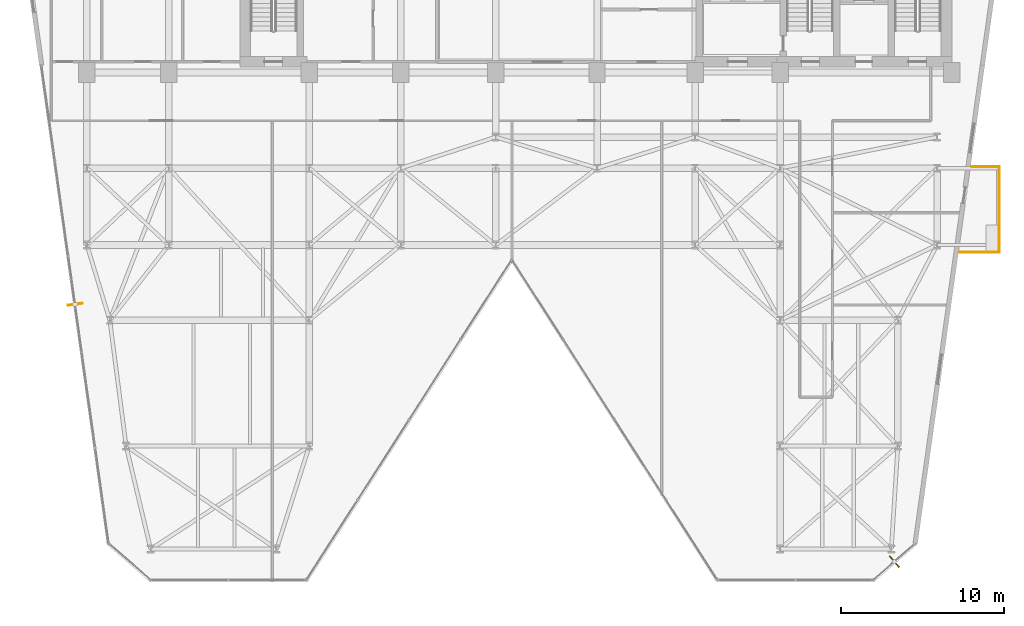
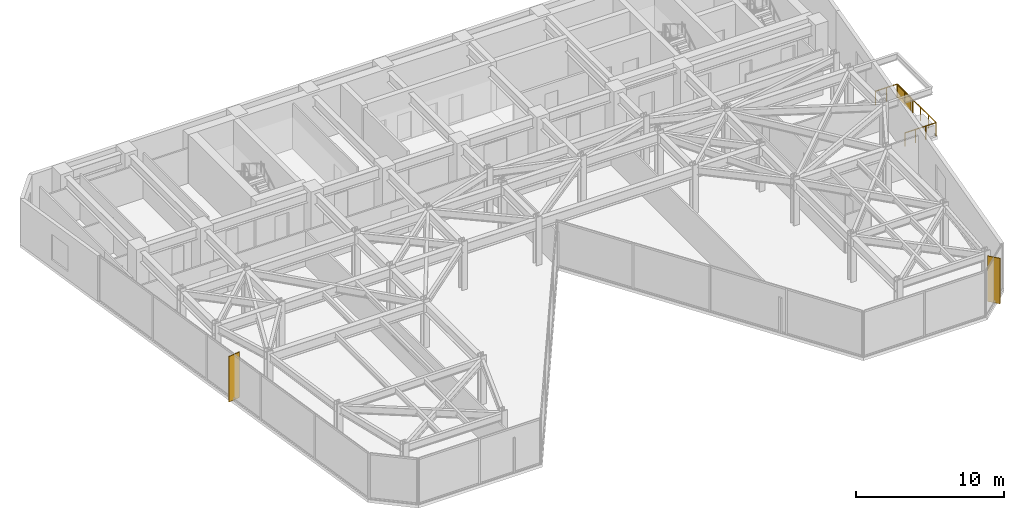
# One storey, part 24 of 26: 3 railings, 3 shading devices.
"""IFC4 building model written with IfcOpenShell, lengths in metres."""

from ifc_helpers import new_model, si_unit, direction, frame, origin, origin_2d, place, context, subcontext, project, spatial, rectangle, circle, extrude, material, layer, layer_set, type_object, element, save


model = new_model("IFC4")

# Units and contexts
model_context = context("Model", 3, precision=1e-05, world=origin(), true_north=direction((0.0, 1.0)))
body_context = subcontext(model_context, "Body", "Model", "MODEL_VIEW")
ifc_project = project(units=[si_unit("LENGTHUNIT", "METRE"), si_unit("AREAUNIT", "SQUARE_METRE"), si_unit("VOLUMEUNIT", "CUBIC_METRE"), si_unit("PLANEANGLEUNIT", "RADIAN"), si_unit("MASSUNIT", "GRAM", prefix="KILO")], contexts=[model_context])

# Site, building, storey
site_placement = place(None, origin())
site = spatial("IfcSite", under=ifc_project, at=site_placement, CompositionType="ELEMENT")
building_placement = place(site_placement, origin())
building = spatial("IfcBuilding", under=site, at=building_placement, Name="Kravanh Interchange Tower", CompositionType="ELEMENT")
storey_placement = place(building_placement, frame((0.0, 0.0, 108.0)))
storey = spatial("IfcBuildingStorey", under=building, at=storey_placement, Name="L25", CompositionType="ELEMENT", Elevation=108.0)

# Shading device
ifc_material_1 = material(Name="Perforated Anodised Bronze Aluminium", Category="aluminium")
ifc_layer_1 = layer(ifc_material_1, 0.0400390625)
ifc_layer_set_1 = layer_set([ifc_layer_1], Name="Perforated Bronze Balcony Privacy Screen 1150mm")
shading_device_type_1 = type_object("IfcShadingDeviceType", Name="Perforated Bronze Balcony Privacy Screen 1150mm", PredefinedType="USERDEFINED", material=ifc_layer_set_1)
shading_device_placement = place(storey_placement, frame((69.405029296875, 30.6201171875, 0.0), z_axis=(0.0, 0.0, 1.0), x_axis=(1.0, 0.0, 0.0)))
element("IfcShadingDevice", 1, at=shading_device_placement, inside=storey, type_object=shading_device_type_1, Name="L25 E Perforated Bronze BALCONY SCREEN", ObjectType="SCREEN", PredefinedType="USERDEFINED", context=body_context, shape_type="SweptSolid", body=[
    extrude(rectangle(XDim=0.0400390625, YDim=1.800048828125, at=origin_2d()), origin(), (0.0, 0.0, 1.0), 1.14990234375),
])

# Railings
ifc_material_2 = material(Name="Stainless Steel 316", Category="steel")
ifc_layer_2 = layer(ifc_material_2, 0.06005859375)
ifc_layer_set_2 = layer_set([ifc_layer_2], Name="Perimeter Balcony and Terrace Guardrail Stainless 316 1120mm")
railing_type = type_object("IfcRailingType", Name="Perimeter Balcony and Terrace Guardrail Stainless 316 1120mm", PredefinedType="GUARDRAIL", material=ifc_layer_set_2)
railing_1_placement = place(storey_placement, frame((69.405029296875, 31.590087890625, 0.0)))
element("IfcRailing", 2, at=railing_1_placement, inside=storey, type_object=railing_type, Name="L25 E Balcony Guardrail 1", PredefinedType="GUARDRAIL", context=body_context, shape_type="SweptSolid", body=[
    extrude(circle(Radius=0.02392578125, at=origin_2d()), frame((0.0, 0.0, 1.09619140625), z_axis=(0.0, -1.0, 0.0), x_axis=(1.0, 0.0, 0.0)), (0.0, 0.0, 1.0), 5.239990234375),
    extrude(circle(Radius=0.02099609375, at=origin_2d()), origin(), (0.0, 0.0, 1.0), 1.072021484375),
    extrude(circle(Radius=0.02099609375, at=origin_2d()), frame((0.0, -1.048095703125, 0.0)), (0.0, 0.0, 1.0), 1.072021484375),
    extrude(circle(Radius=0.02099609375, at=origin_2d()), frame((0.0, -2.095947265625, 0.0)), (0.0, 0.0, 1.0), 1.072021484375),
    extrude(circle(Radius=0.02099609375, at=origin_2d()), frame((0.0, -3.14404296875, 0.0)), (0.0, 0.0, 1.0), 1.072021484375),
    extrude(circle(Radius=0.02099609375, at=origin_2d()), frame((0.0, -4.19189453125, 0.0)), (0.0, 0.0, 1.0), 1.072021484375),
    extrude(circle(Radius=0.02099609375, at=origin_2d()), frame((0.0, -5.239990234375, 0.0)), (0.0, 0.0, 1.0), 1.072021484375),
])
railing_2_placement = place(storey_placement, frame((69.405029296875, 26.35009765625, 0.0)))
element("IfcRailing", 3, at=railing_2_placement, inside=storey, type_object=railing_type, Name="L25 E Balcony Guardrail 2", PredefinedType="GUARDRAIL", context=body_context, shape_type="SweptSolid", body=[
    extrude(circle(Radius=0.02392578125, at=origin_2d()), frame((0.0, 0.0, 1.09619140625), z_axis=(-1.0, 0.0, 0.0), x_axis=(0.0, -1.0, 0.0)), (0.0, 0.0, 1.0), 2.422119140625),
    extrude(circle(Radius=0.02099609375, at=origin_2d()), origin(), (0.0, 0.0, 1.0), 1.072021484375),
    extrude(circle(Radius=0.02099609375, at=origin_2d()), frame((-0.807373046875, 0.0, 0.0)), (0.0, 0.0, 1.0), 1.072021484375),
    extrude(circle(Radius=0.02099609375, at=origin_2d()), frame((-1.61474609375, 0.0, 0.0)), (0.0, 0.0, 1.0), 1.072021484375),
    extrude(circle(Radius=0.02099609375, at=origin_2d()), frame((-2.422119140625, 0.0, 0.0)), (0.0, 0.0, 1.0), 1.072021484375),
])
railing_3_placement = place(storey_placement, frame((67.71923828125, 31.590087890625, 0.0)))
element("IfcRailing", 4, at=railing_3_placement, inside=storey, type_object=railing_type, Name="L25 E Balcony Guardrail 3", PredefinedType="GUARDRAIL", context=body_context, shape_type="SweptSolid", body=[
    extrude(circle(Radius=0.02392578125, at=origin_2d()), frame((0.0, 0.0, 1.09619140625), z_axis=(1.0, 0.0, 0.0), x_axis=(0.0, 1.0, 0.0)), (0.0, 0.0, 1.0), 1.685791015625),
    extrude(circle(Radius=0.02099609375, at=origin_2d()), origin(), (0.0, 0.0, 1.0), 1.072021484375),
    extrude(circle(Radius=0.02099609375, at=origin_2d()), frame((0.8427734375, 0.0, 0.0)), (0.0, 0.0, 1.0), 1.072021484375),
    extrude(circle(Radius=0.02099609375, at=origin_2d()), frame((1.685791015625, 0.0, 0.0)), (0.0, 0.0, 1.0), 1.072021484375),
])

# Shading devices
ifc_material_3 = material(Name="Anodised Champagne Bronze Aluminium", Category="aluminium")
ifc_layer_3 = layer(ifc_material_3, 0.06005859375)
ifc_layer_set_3 = layer_set([ifc_layer_3], Name="Vertical Bronze Solar Fin 900mm")
shading_device_type_2 = type_object("IfcShadingDeviceType", Name="Vertical Bronze Solar Fin 900mm", PredefinedType="USERDEFINED", material=ifc_layer_set_3)
for number, where, z_axis, x_axis, name in (
    (5, (12.881103515625, 23.16943359375, 0.0), (0.0, 0.0, 1.0), (-0.990268017027, -0.139173468924, 0.0), "L25 BRONZE SOLAR FIN 1"),
    (6, (62.986328125, 7.429443359375, 0.0), (0.0, 0.0, 1.0), (0.656056045951, -0.754712173329, 0.0), "L25 BRONZE SOLAR FIN 2"),
):
    element("IfcShadingDevice", number, at=place(storey_placement, frame(where, z_axis=z_axis, x_axis=x_axis)), inside=storey, type_object=shading_device_type_2, Name=name, ObjectType="FIN", PredefinedType="USERDEFINED", context=body_context, shape_type="SweptSolid", body=[
        extrude(rectangle(XDim=0.89990234375, YDim=0.06005859375, at=origin_2d()), origin(), (0.0, 0.0, 1.0), 3.75),
    ])

save(model, "model.ifc")
